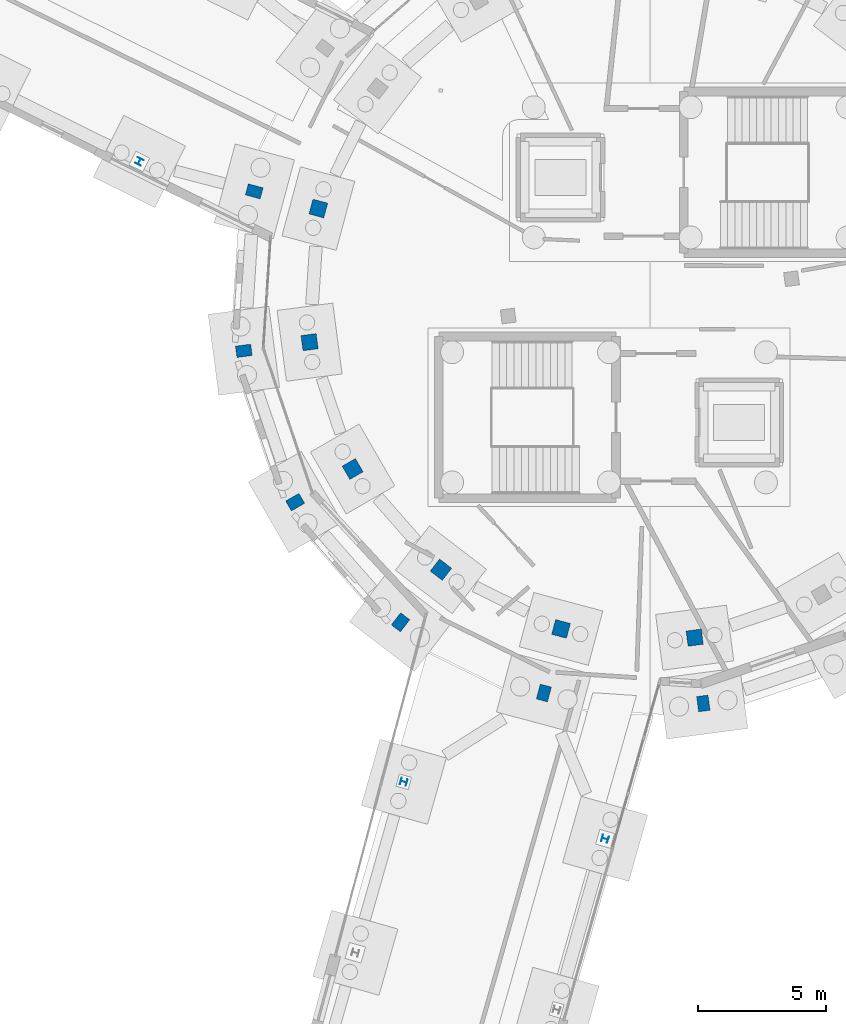
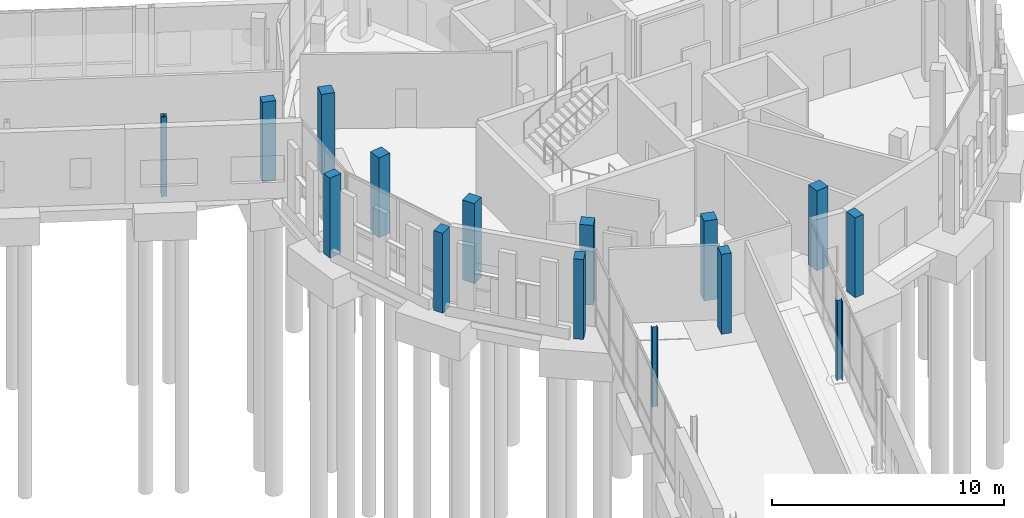
# One storey, part 25 of 113: 15 columns.
"""IFC4 building model written with IfcOpenShell, lengths in metres."""

from ifc_helpers import new_model, si_unit, direction, frame, origin, origin_2d, place, context, subcontext, project, spatial, rectangle, i_section, extrude, material, material_profile, profile_set, type_object, element, save


model = new_model("IFC4")

# Units and contexts
model_context = context("Model", 3, precision=1e-05, world=origin(), true_north=direction((0.0, 1.0)))
body_context = subcontext(model_context, "Body", "Model", "MODEL_VIEW")
ifc_project = project(units=[si_unit("LENGTHUNIT", "METRE"), si_unit("AREAUNIT", "SQUARE_METRE"), si_unit("VOLUMEUNIT", "CUBIC_METRE"), si_unit("PLANEANGLEUNIT", "RADIAN"), si_unit("MASSUNIT", "GRAM", prefix="KILO")], contexts=[model_context])

# Site, building, storey
site_placement = place(None, origin())
site = spatial("IfcSite", under=ifc_project, at=site_placement, CompositionType="ELEMENT")
building_placement = place(site_placement, origin())
building = spatial("IfcBuilding", under=site, at=building_placement, Name="Wrenclough Park School", CompositionType="ELEMENT")
storey_placement = place(building_placement, origin())
storey = spatial("IfcBuildingStorey", under=building, at=storey_placement, Name="L00", CompositionType="ELEMENT", Elevation=0.0)

# Columns
ifc_material_1 = material(Name="Concrete C40/50", Category="concrete")
ifc_material_profile_1 = material_profile(ifc_material_1, rectangle(XDim=0.60009765625, YDim=0.60009765625, at=origin_2d()), Name="RC COL 600x600")
ifc_profile_set_1 = profile_set([ifc_material_profile_1], Name="Concrete C40/50")
column_type_1 = type_object("IfcColumnType", Name="STR-COL-RC600", PredefinedType="COLUMN", material=ifc_profile_set_1)
for number, where, z_axis, x_axis, name in (
    (1, (161.50830078125, 96.981201171875, 0.0), (0.0, 0.0, 1.0), (-0.258819045103, -0.965925826289, 0.0), "D5 L00 column D5-MID-08"),
    (2, (161.1650390625, 91.744384765625, 0.0), (0.0, 0.0, 1.0), (0.13052619222, -0.991444861374, 0.0), "D5 L00 column D5-MID-09"),
    (3, (162.85205078125, 86.77490234375, 0.0), (0.0, 0.0, 1.0), (0.5, -0.866025403784, 0.0), "D5 L00 column D5-MID-10"),
    (4, (166.312255859375, 82.829345703125, 0.0), (0.0, 0.0, 1.0), (0.793353340291, -0.608761429009, 0.0), "D5 L00 column D5-MID-11"),
    (5, (171.018798828125, 80.50830078125, 0.0), (0.0, 0.0, 1.0), (0.965925826289, -0.258819045103, 0.0), "D5 L00 column D5-MID-12"),
    (6, (176.255615234375, 80.1650390625, 0.0), (0.0, 0.0, 1.0), (0.991444861374, 0.13052619222, 0.0), "D5 L00 column D5-MID-13"),
):
    element("IfcColumn", number, at=place(storey_placement, frame(where, z_axis=z_axis, x_axis=x_axis)), inside=storey, type_object=column_type_1, Name=name, PredefinedType="COLUMN", context=body_context, shape_type="SweptSolid", body=[
        extrude(rectangle(XDim=0.60009765625, YDim=0.60009765625, at=origin_2d()), origin(), (0.0, 0.0, 1.0), 4.199951171875),
    ])
ifc_material_profile_2 = material_profile(ifc_material_1, rectangle(XDim=0.449951171875, YDim=0.60009765625, at=origin_2d()), Name="RC COL 600x450")
ifc_profile_set_2 = profile_set([ifc_material_profile_2], Name="Concrete C40/50")
column_type_2 = type_object("IfcColumnType", Name="STR-COL-RC600x450", PredefinedType="PILASTER", material=ifc_profile_set_2)
for number, where, z_axis, x_axis, name in (
    (7, (158.996826171875, 97.654052734375, 0.0), (0.0, 0.0, 1.0), (-0.258819045103, -0.965925826289, 0.0), "D5 L00 column D5-OUT-08"),
    (8, (158.58740234375, 91.405029296875, 0.0), (0.0, 0.0, 1.0), (0.13052619222, -0.991444861374, 0.0), "D5 L00 column D5-OUT-09"),
    (9, (160.600341796875, 85.47509765625, 0.0), (0.0, 0.0, 1.0), (0.5, -0.866025403784, 0.0), "D5 L00 column D5-OUT-10"),
    (10, (164.7294921875, 80.7666015625, 0.0), (0.0, 0.0, 1.0), (0.793353340291, -0.608761429009, 0.0), "D5 L00 column D5-OUT-11"),
    (11, (170.345947265625, 77.996826171875, 0.0), (0.0, 0.0, 1.0), (0.965925826289, -0.258819045103, 0.0), "D5 L00 column D5-OUT-12"),
    (12, (176.594970703125, 77.58740234375, 0.0), (0.0, 0.0, 1.0), (0.991444861374, 0.13052619222, 0.0), "D5 L00 column D5-OUT-13"),
):
    element("IfcColumn", number, at=place(storey_placement, frame(where, z_axis=z_axis, x_axis=x_axis)), inside=storey, type_object=column_type_2, Name=name, PredefinedType="PILASTER", context=body_context, shape_type="SweptSolid", body=[
        extrude(rectangle(XDim=0.449951171875, YDim=0.60009765625, at=origin_2d()), origin(), (0.0, 0.0, 1.0), 4.199951171875),
    ])
ifc_material_2 = material(Name="Structural steel S355", Category="steel")
ifc_material_profile_3 = material_profile(ifc_material_2, i_section(OverallWidth=0.254638671875, OverallDepth=0.254150390625, WebThickness=0.008544921875, FlangeThickness=0.01416015625, FilletRadius=0.0126953125, at=origin_2d()), Name="UKC 254x254x73")
ifc_profile_set_3 = profile_set([ifc_material_profile_3], Name="Structural steel S355")
column_type_3 = type_object("IfcColumnType", Name="STR-COL-UKC254A", PredefinedType="COLUMN", material=ifc_profile_set_3)
for number, where, z_axis, x_axis, name in (
    (13, (164.85546875, 74.5185546875, 0.0), (0.0, 0.0, 1.0), (0.272784025857, 0.962075296033, 0.0), "W14 L00 column W14-C1-L07"),
    (14, (172.744384765625, 72.281494140625, 0.0), (0.0, 0.0, 1.0), (0.272784025857, 0.962075296033, 0.0), "W14 L00 column W14-C1-R07"),
    (15, (154.494140625, 98.8251953125, 0.0), (0.0, 0.0, 1.0), (0.896254315973, -0.443540529265, 0.0), "W45 L00 column W45-C2-R05"),
):
    element("IfcColumn", number, at=place(storey_placement, frame(where, z_axis=z_axis, x_axis=x_axis)), inside=storey, type_object=column_type_3, Name=name, PredefinedType="COLUMN", context=body_context, shape_type="SweptSolid", body=[
        extrude(i_section(OverallWidth=0.254638671875, OverallDepth=0.254150390625, WebThickness=0.008544921875, FlangeThickness=0.01416015625, FilletRadius=0.0126953125, at=origin_2d()), origin(), (0.0, 0.0, 1.0), 4.199951171875),
    ])

save(model, "model.ifc")
